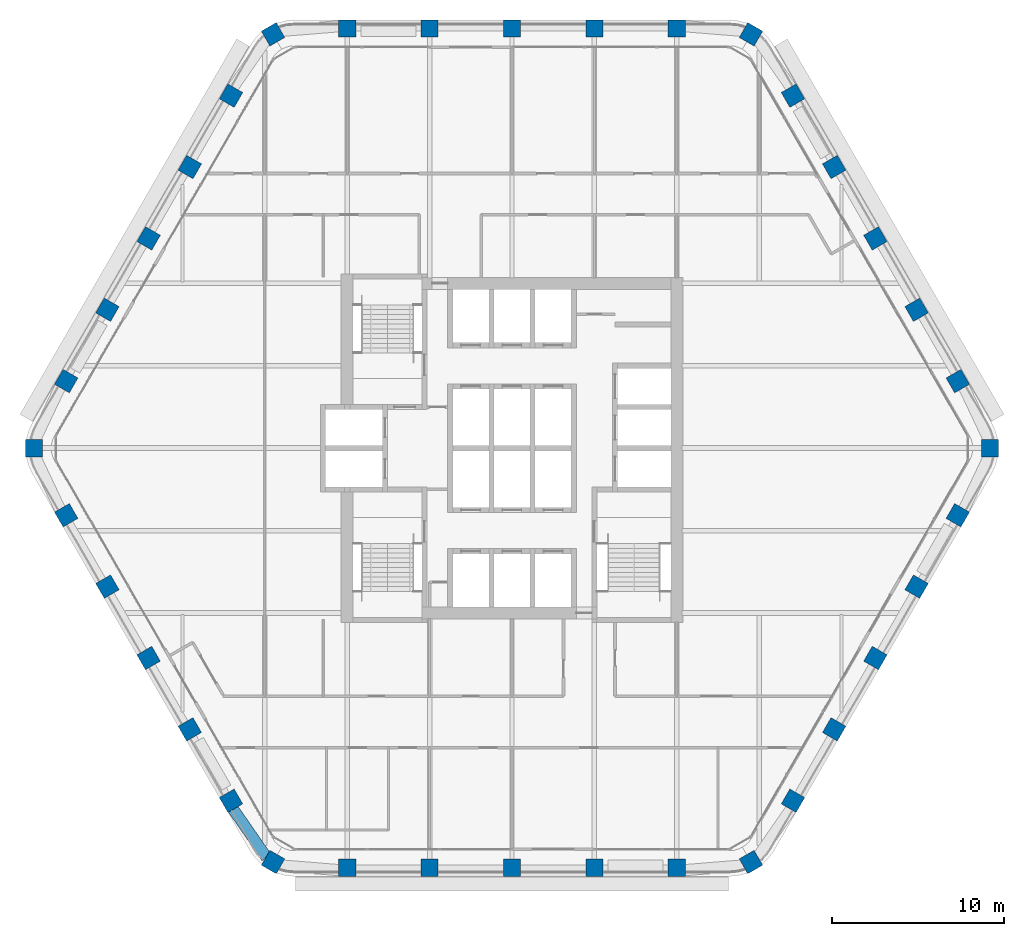
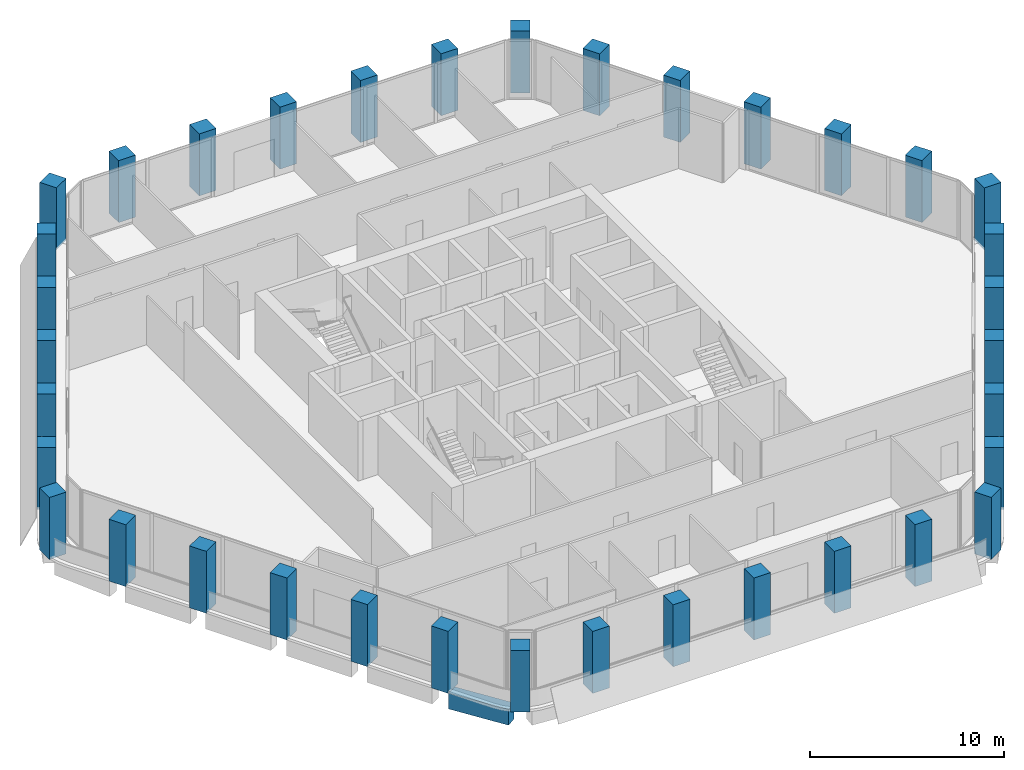
# One storey, part 1 of 15: 36 columns, 1 beam.
"""IFC4 building model written with IfcOpenShell, lengths in metres."""

from ifc_helpers import new_model, si_unit, direction, frame, origin, origin_2d, place, context, subcontext, project, spatial, rectangle, extrude, material, material_profile, profile_set, type_object, element, save


model = new_model("IFC4")

# Units and contexts
model_context = context("Model", 3, precision=1e-05, world=origin(), true_north=direction((0.0, 1.0)))
body_context = subcontext(model_context, "Body", "Model", "MODEL_VIEW")
ifc_project = project(units=[si_unit("LENGTHUNIT", "METRE"), si_unit("AREAUNIT", "SQUARE_METRE"), si_unit("VOLUMEUNIT", "CUBIC_METRE"), si_unit("PLANEANGLEUNIT", "RADIAN"), si_unit("MASSUNIT", "GRAM", prefix="KILO")], contexts=[model_context])

# Site, building, storey
site_placement = place(None, origin())
site = spatial("IfcSite", under=ifc_project, at=site_placement, CompositionType="ELEMENT")
building_placement = place(site_placement, origin())
building = spatial("IfcBuilding", under=site, at=building_placement, Name="Kolab Exchange Tower", CompositionType="ELEMENT")
storey_placement = place(building_placement, frame((0.0, 0.0, 201.199951171875)))
storey = spatial("IfcBuildingStorey", under=building, at=storey_placement, Name="L43", CompositionType="ELEMENT", Elevation=201.199951171875)

# Columns
ifc_material = material(Name="Concrete C60/75", Category="concrete")
ifc_material_profile_1 = material_profile(ifc_material, rectangle(XDim=1.0, YDim=1.0, at=origin_2d()), Name="RC1000")
ifc_profile_set_1 = profile_set([ifc_material_profile_1], Name="Concrete C60/75")
column_type = type_object("IfcColumnType", Name="PERIMETER COLUMN 1000 SQ C60/75", PredefinedType="COLUMN", material=ifc_profile_set_1)
for number, where, z_axis, x_axis, name in (
    (1, (-13.91796875, 24.106689453125, -0.14990234375), (0.0, 0.0, 1.0), (0.866025403784, 0.5, 0.0), "col/L43/F1-01"),
    (2, (-9.60009765625, 24.441650390625, -0.14990234375), (0.0, 0.0, 1.0), (1.0, 0.0, 0.0), "col/L43/F1-02"),
    (3, (-4.800048828125, 24.441650390625, -0.14990234375), (0.0, 0.0, 1.0), (1.0, 0.0, 0.0), "col/L43/F1-03"),
    (4, (0.0, 24.441650390625, -0.14990234375), (0.0, 0.0, 1.0), (1.0, 0.0, 0.0), "col/L43/F1-04"),
    (5, (4.800048828125, 24.441650390625, -0.14990234375), (0.0, 0.0, 1.0), (1.0, 0.0, 0.0), "col/L43/F1-05"),
    (6, (9.60009765625, 24.441650390625, -0.14990234375), (0.0, 0.0, 1.0), (1.0, 0.0, 0.0), "col/L43/F1-06"),
    (7, (13.91796875, 24.106689453125, -0.14990234375), (0.0, 0.0, 1.0), (0.5, 0.866025403784, 0.0), "col/L43/F2-01"),
    (8, (16.366943359375, 20.53466796875, -0.14990234375), (0.0, 0.0, 1.0), (0.866025403784, 0.5, 0.0), "col/L43/F2-02"),
    (9, (18.76708984375, 16.377685546875, -0.14990234375), (0.0, 0.0, 1.0), (0.866025403784, 0.5, 0.0), "col/L43/F2-03"),
    (10, (21.1669921875, 12.220703125, -0.14990234375), (0.0, 0.0, 1.0), (0.866025403784, 0.5, 0.0), "col/L43/F2-04"),
    (11, (23.56689453125, 8.06396484375, -0.14990234375), (0.0, 0.0, 1.0), (0.866025403784, 0.5, 0.0), "col/L43/F2-05"),
    (12, (25.967041015625, 3.906982421875, -0.14990234375), (0.0, 0.0, 1.0), (0.866025403784, 0.5, 0.0), "col/L43/F2-06"),
    (13, (27.8359375, 0.0, -0.14990234375), (0.0, 0.0, 1.0), (1.0, 0.0, 0.0), "col/L43/F3-01"),
    (14, (25.967041015625, -3.906982421875, -0.14990234375), (0.0, 0.0, 1.0), (0.5, 0.866025403784, 0.0), "col/L43/F3-02"),
    (15, (23.56689453125, -8.06396484375, -0.14990234375), (0.0, 0.0, 1.0), (0.5, 0.866025403784, 0.0), "col/L43/F3-03"),
    (16, (21.1669921875, -12.220703125, -0.14990234375), (0.0, 0.0, 1.0), (0.5, 0.866025403784, 0.0), "col/L43/F3-04"),
    (17, (18.76708984375, -16.377685546875, -0.14990234375), (0.0, 0.0, 1.0), (0.5, 0.866025403784, 0.0), "col/L43/F3-05"),
    (18, (16.366943359375, -20.53466796875, -0.14990234375), (0.0, 0.0, 1.0), (0.5, 0.866025403784, 0.0), "col/L43/F3-06"),
    (19, (13.91796875, -24.106689453125, -0.14990234375), (0.0, 0.0, 1.0), (0.866025403784, 0.5, 0.0), "col/L43/F4-01"),
    (20, (9.60009765625, -24.441650390625, -0.14990234375), (0.0, 0.0, 1.0), (1.0, 0.0, 0.0), "col/L43/F4-02"),
    (21, (4.800048828125, -24.441650390625, -0.14990234375), (0.0, 0.0, 1.0), (1.0, 0.0, 0.0), "col/L43/F4-03"),
    (22, (0.0, -24.441650390625, -0.14990234375), (0.0, 0.0, 1.0), (1.0, 0.0, 0.0), "col/L43/F4-04"),
    (23, (-4.800048828125, -24.441650390625, -0.14990234375), (0.0, 0.0, 1.0), (1.0, 0.0, 0.0), "col/L43/F4-05"),
    (24, (-9.60009765625, -24.441650390625, -0.14990234375), (0.0, 0.0, 1.0), (1.0, 0.0, 0.0), "col/L43/F4-06"),
    (25, (-13.91796875, -24.106689453125, -0.14990234375), (0.0, 0.0, 1.0), (0.5, 0.866025403784, 0.0), "col/L43/F5-01"),
    (26, (-16.366943359375, -20.53466796875, -0.14990234375), (0.0, 0.0, 1.0), (0.866025403784, 0.5, 0.0), "col/L43/F5-02"),
    (27, (-18.76708984375, -16.377685546875, -0.14990234375), (0.0, 0.0, 1.0), (0.866025403784, 0.5, 0.0), "col/L43/F5-03"),
    (28, (-21.1669921875, -12.220703125, -0.14990234375), (0.0, 0.0, 1.0), (0.866025403784, 0.5, 0.0), "col/L43/F5-04"),
    (29, (-23.56689453125, -8.06396484375, -0.14990234375), (0.0, 0.0, 1.0), (0.866025403784, 0.5, 0.0), "col/L43/F5-05"),
    (30, (-25.967041015625, -3.906982421875, -0.14990234375), (0.0, 0.0, 1.0), (0.866025403784, 0.5, 0.0), "col/L43/F5-06"),
    (31, (-27.8359375, 0.0, -0.14990234375), (0.0, 0.0, 1.0), (1.0, 0.0, 0.0), "col/L43/F6-01"),
    (32, (-25.967041015625, 3.906982421875, -0.14990234375), (0.0, 0.0, 1.0), (0.5, 0.866025403784, 0.0), "col/L43/F6-02"),
    (33, (-23.56689453125, 8.06396484375, -0.14990234375), (0.0, 0.0, 1.0), (0.5, 0.866025403784, 0.0), "col/L43/F6-03"),
    (34, (-21.1669921875, 12.220703125, -0.14990234375), (0.0, 0.0, 1.0), (0.5, 0.866025403784, 0.0), "col/L43/F6-04"),
    (35, (-18.76708984375, 16.377685546875, -0.14990234375), (0.0, 0.0, 1.0), (0.5, 0.866025403784, 0.0), "col/L43/F6-05"),
    (36, (-16.366943359375, 20.53466796875, -0.14990234375), (0.0, 0.0, 1.0), (0.5, 0.866025403784, 0.0), "col/L43/F6-06"),
):
    element("IfcColumn", number, at=place(storey_placement, frame(where, z_axis=z_axis, x_axis=x_axis)), inside=storey, type_object=column_type, Name=name, PredefinedType="COLUMN", context=body_context, shape_type="SweptSolid", body=[
        extrude(rectangle(XDim=1.0, YDim=1.0, at=origin_2d()), origin(), (0.0, 0.0, 1.0), 3.89990234375),
    ])

# Beam
ifc_material_profile_2 = material_profile(ifc_material, rectangle(XDim=0.64990234375, YDim=1.0, at=origin_2d()), Name="RC650X1000")
ifc_profile_set_2 = profile_set([ifc_material_profile_2], Name="Concrete C60/75")
beam_type = type_object("IfcBeamType", Name="SPANDREL BEAM 650X1000 C60/75", PredefinedType="BEAM", material=ifc_profile_set_2)
beam_placement = place(storey_placement, frame((-14.29736328125, -23.8359375, -0.64990234375), z_axis=(-0.568572281073, 0.822633309073, 0.0), x_axis=(-0.822633309073, -0.568572281073, 0.0)))
element("IfcBeam", 37, at=beam_placement, inside=storey, type_object=beam_type, Name="beam/L43/sp/F5-01", PredefinedType="BEAM", context=body_context, shape_type="SweptSolid", body=[
    extrude(rectangle(XDim=0.64990234375, YDim=1.0, at=origin_2d()), origin(), (0.0, 0.0, 1.0), 3.445068359375),
])

save(model, "model.ifc")
